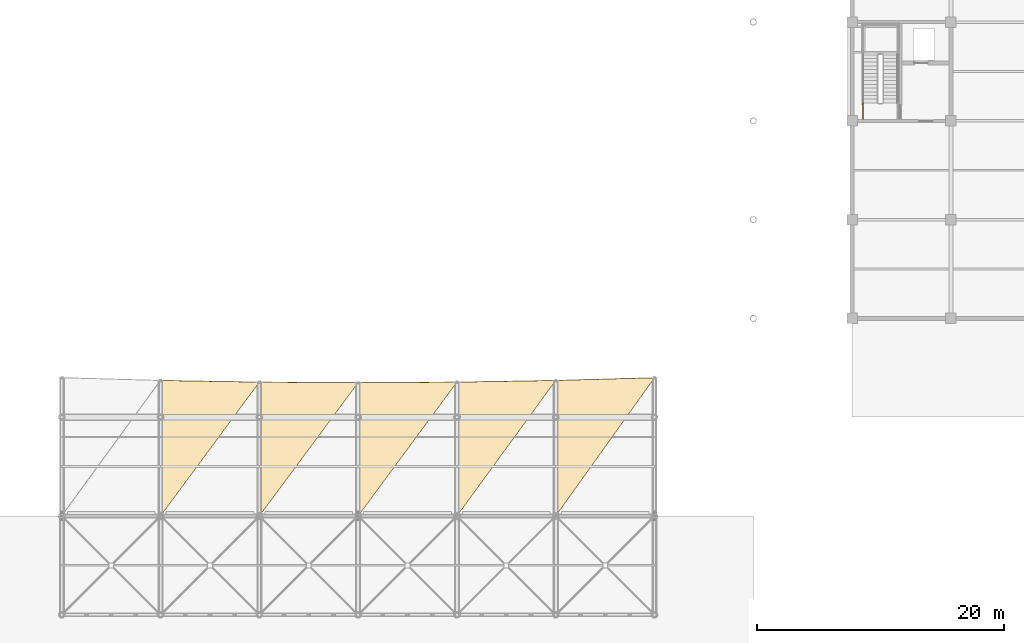
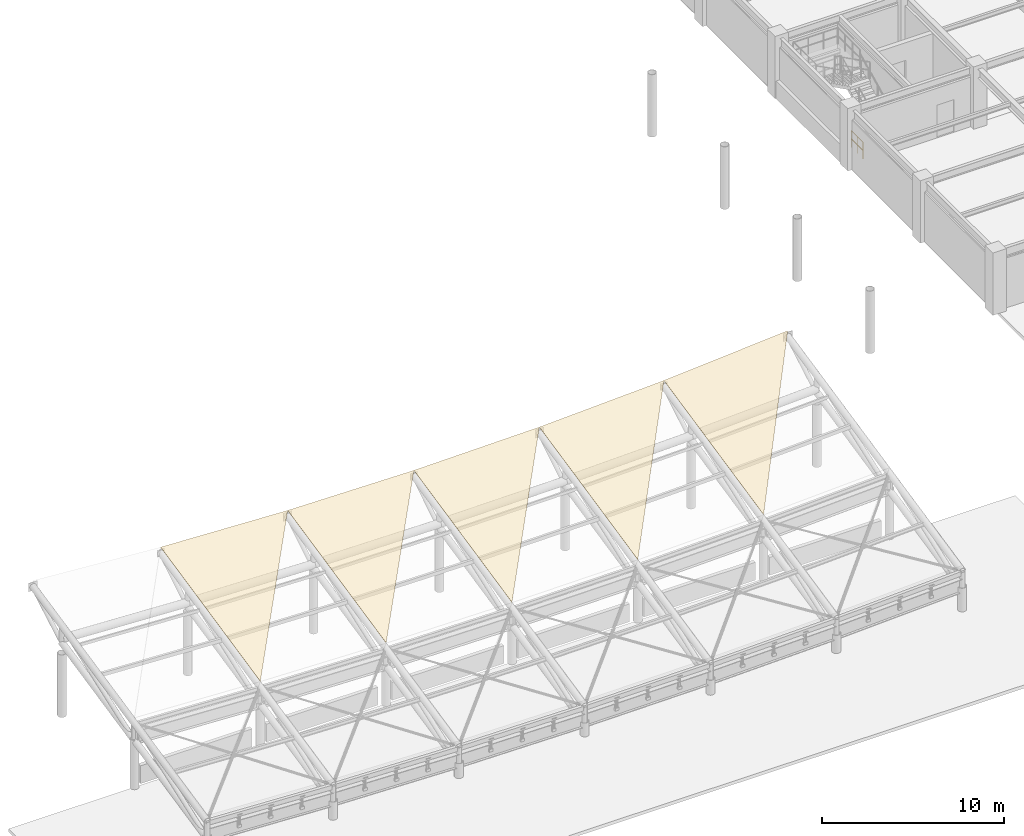
# One storey, part 73 of 78: 5 coverings, 1 railing, 1 element without a shape of its own.
"""IFC4 building model written with IfcOpenShell, lengths in metres."""

from ifc_helpers import new_model, si_unit, direction, frame, origin, origin_2d, place, context, subcontext, project, spatial, polyline, circle, outline, extrude, material, layer, layer_set, type_object, element, aggregate, save


model = new_model("IFC4")

# Units and contexts
model_context = context("Model", 3, precision=1e-05, world=origin(), true_north=direction((0.0, 1.0)))
body_context = subcontext(model_context, "Body", "Model", "MODEL_VIEW")
ifc_project = project(units=[si_unit("LENGTHUNIT", "METRE"), si_unit("AREAUNIT", "SQUARE_METRE"), si_unit("VOLUMEUNIT", "CUBIC_METRE"), si_unit("PLANEANGLEUNIT", "RADIAN"), si_unit("MASSUNIT", "GRAM", prefix="KILO")], contexts=[model_context])

# Site, building, storey
site_placement = place(None, origin())
site = spatial("IfcSite", under=ifc_project, at=site_placement, CompositionType="ELEMENT")
building_placement = place(site_placement, origin())
building = spatial("IfcBuilding", under=site, at=building_placement, Name="Haebicheon Civic Stadium", CompositionType="ELEMENT")
storey_placement = place(building_placement, frame((0.0, 0.0, 18.60009765625)))
storey = spatial("IfcBuildingStorey", under=building, at=storey_placement, Name="L05", CompositionType="ELEMENT", Elevation=18.60009765625)

# Roof, coverings
ifc_material_1 = material(Name="White painted steel SM490", Category="steel")
roof_type = type_object("IfcRoofType", Name="ROOF-WING-CANOPY", PredefinedType="FREEFORM", material=ifc_material_1)
roof_placement = place(storey_placement, origin())
roof = element("IfcRoof", 1, at=roof_placement, inside=storey, type_object=roof_type, material=ifc_material_1, Name="South Goal-Curve Wing Canopy", PredefinedType="FREEFORM")
ifc_material_2 = material(Name="White fluoropolymer coated steel SM490", Category="steel")
ifc_layer = layer(ifc_material_2, 0.02001953125, Name="White fluoropolymer coated steel SM490")
ifc_layer_set = layer_set([ifc_layer], Name="White fluoropolymer coated steel SM490")
covering_type = type_object("IfcCoveringType", Name="COV-CAN-MEM", PredefinedType="ROOFING", material=ifc_layer_set)
covering_1_placement = place(storey_placement, frame((88.0, 32.0, 4.31298828125), z_axis=(0.026901920407, -0.210085526148, 0.977312825241), x_axis=(0.0, 0.977666664467, 0.210161588283)))
covering_1 = element("IfcCovering", 2, at=covering_1_placement, type_object=covering_type, material=ifc_layer_set, Name="CAN-SOUTH canopy coated steel membrane 2", PredefinedType="ROOFING", context=body_context, shape_type="SweptSolid", body=[
    extrude(outline(polyline([(0.0, 0.0), (11.22880399091171, 0.0), (11.045429035139918, -8.00289642551745), (0.0, 0.0)])), origin(), (0.0, 0.0, -1.0), 0.02001953125),
])
covering_2_placement = place(storey_placement, frame((96.0, 32.0, 4.093017578125), z_axis=(0.00887026087, -0.210132584222, 0.977632658784), x_axis=(0.0, 0.977671121869, 0.210140851487)))
covering_2 = element("IfcCovering", 3, at=covering_2_placement, type_object=covering_type, material=ifc_layer_set, Name="CAN-SOUTH canopy coated steel membrane 3", PredefinedType="ROOFING", context=body_context, shape_type="SweptSolid", body=[
    extrude(outline(polyline([(0.0, 0.0), (11.091658429979399, 0.0), (11.031456250283128, -8.00031474468518), (0.0, 0.0)])), origin(), (0.0, 0.0, -1.0), 0.02001953125),
])
covering_3_placement = place(storey_placement, frame((104.0, 32.0, 4.02001953125), z_axis=(-0.008869986227, -0.210168267788, 0.97762499076), x_axis=(0.0, 0.977663451162, 0.210176535944)))
covering_3 = element("IfcCovering", 4, at=covering_3_placement, type_object=covering_type, material=ifc_layer_set, Name="CAN-SOUTH canopy coated steel membrane 4", PredefinedType="ROOFING", context=body_context, shape_type="SweptSolid", body=[
    extrude(outline(polyline([(0.0, 0.0), (11.046796129368687, 0.0), (11.107000899213997, -8.000314725193952), (0.0, 0.0)])), origin(), (0.0, 0.0, -1.0), 0.02001953125),
])
covering_4_placement = place(storey_placement, frame((112.0, 32.0, 4.093017578125), z_axis=(-0.026902406056, -0.21006479411, 0.977317268252), x_axis=(0.0, 0.977671121869, 0.210140851487)))
covering_4 = element("IfcCovering", 5, at=covering_4_placement, type_object=covering_type, material=ifc_layer_set, Name="CAN-SOUTH canopy coated steel membrane 5", PredefinedType="ROOFING", context=body_context, shape_type="SweptSolid", body=[
    extrude(outline(polyline([(0.0, 0.0), (11.091658429979399, 0.0), (11.275028819242689, -8.002896530151174), (0.0, 0.0)])), origin(), (0.0, 0.0, -1.0), 0.02001953125),
])
covering_5_placement = place(storey_placement, frame((120.0, 32.0, 4.31298828125), z_axis=(-0.044846084243, -0.209950146444, 0.976683042105), x_axis=(0.0, 0.977666664467, 0.210161588283)))
covering_5 = element("IfcCovering", 6, at=covering_5_placement, type_object=covering_type, material=ifc_layer_set, Name="CAN-SOUTH canopy coated steel membrane 6", PredefinedType="ROOFING", context=body_context, shape_type="SweptSolid", body=[
    extrude(outline(polyline([(0.0, 0.0), (11.22880399091171, 0.0), (11.532996788295, -8.008056839890104), (0.0, 0.0)])), origin(), (0.0, 0.0, -1.0), 0.02001953125),
])
aggregate(roof, [covering_1, covering_2, covering_3, covering_4, covering_5])

# Railing
ifc_material_3 = material(Name="Galvanised painted steel SM355", Category="steel")
railing_type = type_object("IfcRailingType", Name="RL-GRD-1150", PredefinedType="GUARDRAIL", material=ifc_material_3)
railing_placement = place(storey_placement, frame((144.889892578125, 64.159912109375, 0.0)))
element("IfcRailing", 7, at=railing_placement, inside=storey, type_object=railing_type, material=ifc_material_3, Name="L05 ST-10 stair guard 9", PredefinedType="GUARDRAIL", context=body_context, shape_type="SweptSolid", body=[
    extrude(circle(Radius=0.02392578125, at=origin_2d()), frame((0.0, 0.0, 1.1259765625), z_axis=(0.0, 1.0, 0.0), x_axis=(-1.0, 0.0, 0.0)), (0.0, 0.0, 1.0), 1.2900390625),
    extrude(circle(Radius=0.02392578125, at=origin_2d()), frame((0.0, 0.0, 0.574951171875), z_axis=(0.0, 1.0, 0.0), x_axis=(-1.0, 0.0, 0.0)), (0.0, 0.0, 1.0), 1.2900390625),
    extrude(circle(Radius=0.02099609375, at=origin_2d()), origin(), (0.0, 0.0, 1.0), 1.101806640625),
    extrude(circle(Radius=0.02099609375, at=origin_2d()), frame((0.0, 0.64501953125, 0.0)), (0.0, 0.0, 1.0), 1.101806640625),
    extrude(circle(Radius=0.02099609375, at=origin_2d()), frame((0.0, 1.2900390625, 0.0)), (0.0, 0.0, 1.0), 1.101806640625),
])

save(model, "model.ifc")
